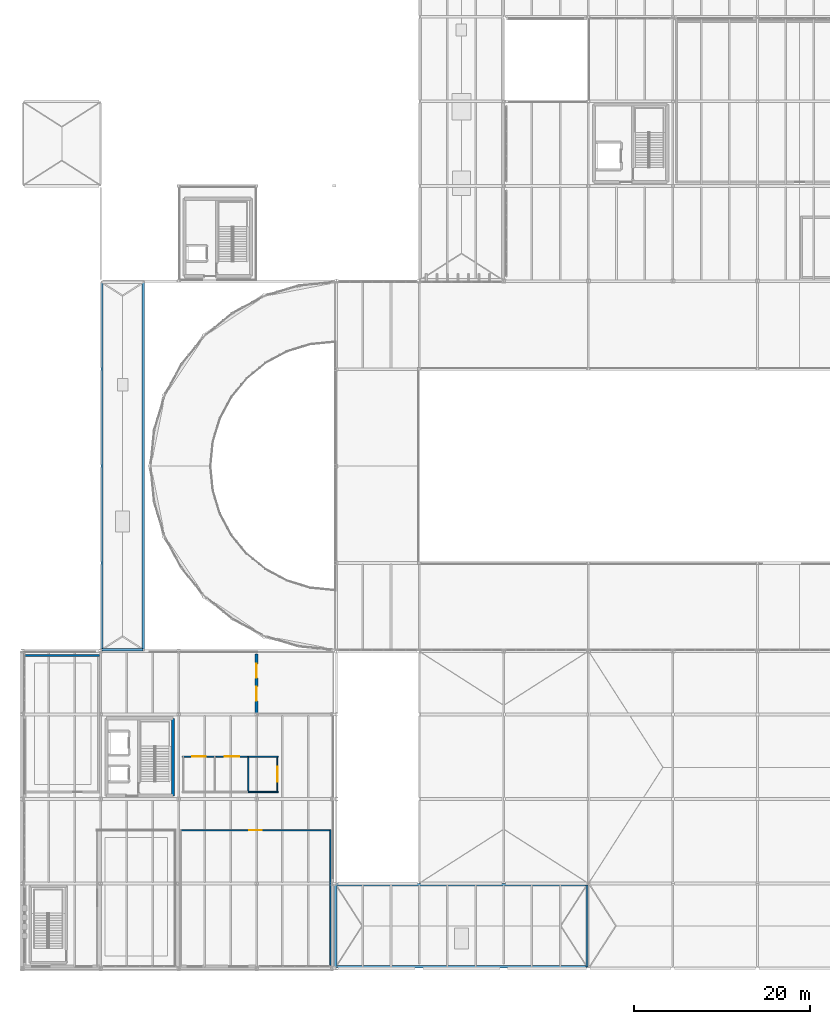
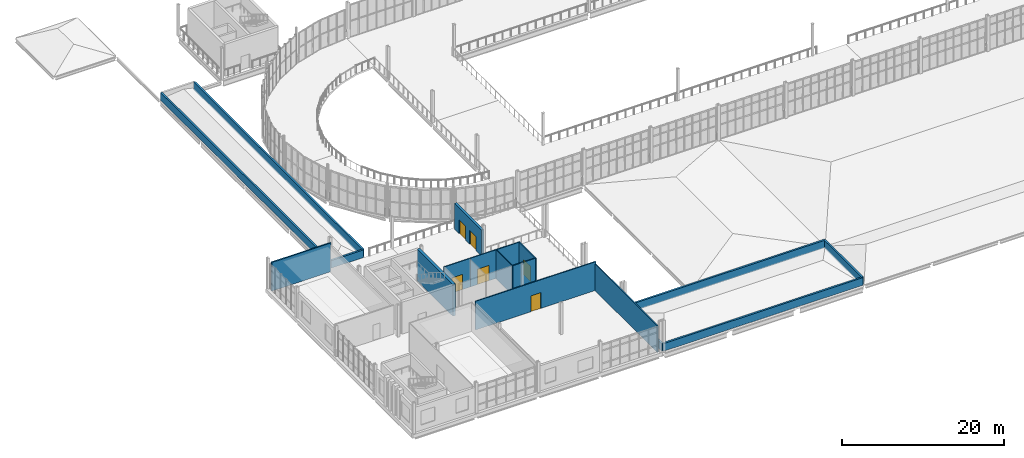
# One storey, part 92 of 112: 18 walls, 6 doors, 6 openings.
"""IFC4 building model written with IfcOpenShell, lengths in metres."""

from ifc_helpers import new_model, si_unit, direction, frame, frame_2d, origin, place, context, subcontext, project, spatial, rectangle, extrude, material, layer, layer_set, type_object, element, fill, save


model = new_model("IFC4")

# Units and contexts
model_context = context("Model", 3, precision=1e-05, world=origin(), true_north=direction((0.0, 1.0)))
body_context = subcontext(model_context, "Body", "Model", "MODEL_VIEW")
ifc_project = project(units=[si_unit("LENGTHUNIT", "METRE"), si_unit("AREAUNIT", "SQUARE_METRE"), si_unit("VOLUMEUNIT", "CUBIC_METRE"), si_unit("PLANEANGLEUNIT", "RADIAN"), si_unit("MASSUNIT", "GRAM", prefix="KILO")], contexts=[model_context])

# Site, building, storey
site_placement = place(None, origin())
site = spatial("IfcSite", under=ifc_project, at=site_placement, CompositionType="ELEMENT")
building_placement = place(site_placement, origin())
building = spatial("IfcBuilding", under=site, at=building_placement, Name="Yeouljin Market Hall", CompositionType="ELEMENT")
storey_placement = place(building_placement, frame((0.0, 0.0, 6.0)))
storey = spatial("IfcBuildingStorey", under=building, at=storey_placement, Name="L01", CompositionType="ELEMENT", Elevation=6.0)

# Wall, opening, door
ifc_material_1 = material(Name="Gypsum Board Acoustic Partition")
ifc_layer_1 = layer(ifc_material_1, 0.14990234375)
ifc_layer_set_1 = layer_set([ifc_layer_1], Name="Gypsum Board Acoustic Partition")
wall_type_1 = type_object("IfcWallType", Name="Part_Classroom_150", PredefinedType="PARTITIONING", material=ifc_layer_set_1)
wall_1_placement = place(storey_placement, frame((34.97998046875, 15.64990234375, 0.0), z_axis=(0.0, 0.0, 1.0), x_axis=(-1.0, 0.0, 0.0)))
wall_1 = element("IfcWall", 1, at=wall_1_placement, inside=storey, type_object=wall_type_1, Name="Interior partition PART-L01-0088", PredefinedType="PARTITIONING", context=body_context, shape_type="SweptSolid", body=[
    extrude(rectangle(XDim=17.159912109375, YDim=0.14990234375, at=frame_2d((8.580078125, 0.0))), origin(), (0.0, 0.0, 1.0), 4.320068359375),
])
opening_1_placement = place(wall_1_placement, frame((7.8798828125, 0.0, 0.0)))
opening_1 = element("IfcOpeningElement", 2, at=opening_1_placement, cuts=wall_1, Name="Opening D-L01-028", PredefinedType="OPENING", context=body_context, shape_type="SweptSolid", body=[
    extrude(rectangle(XDim=1.39990234375, YDim=2.3798828125, at=frame_2d((0.699951171875, 1.18994140625))), frame((0.0, 0.0849609375, 0.0), z_axis=(0.0, -1.0, 0.0), x_axis=(1.0, 0.0, 0.0)), (0.0, 0.0, 1.0), 0.169921875),
])
ifc_material_2 = material(Name="Painted Fire-Rated Steel", Category="steel")
door_type_1 = type_object("IfcDoorType", Name="DT-CS140", OperationType="NOTDEFINED", PredefinedType="DOOR", material=ifc_material_2)
door_1_placement = place(opening_1_placement, origin())
door_1 = element("IfcDoor", 3, at=door_1_placement, inside=storey, type_object=door_type_1, Name="Interior door D-L01-028 (Artisan Bakery Workshop)", OperationType="SINGLE_SWING_RIGHT", OverallHeight=2.3798828125, OverallWidth=1.39990234375, PredefinedType="DOOR", context=body_context, shape_type="SweptSolid", body=[
    extrude(rectangle(XDim=1.39990234375, YDim=2.3798828125, at=frame_2d((0.699951171875, 1.18994140625))), frame((0.0, 0.02490234375, 0.0), z_axis=(0.0, -1.0, 0.0), x_axis=(1.0, 0.0, 0.0)), (0.0, 0.0, 1.0), 0.050048828125),
])
fill(opening_1, door_1)

# Walls
wall_2_placement = place(storey_placement, frame((34.89990234375, 0.199951171875, 0.0), z_axis=(0.0, 0.0, 1.0), x_axis=(0.0, 1.0, 0.0)))
element("IfcWall", 4, at=wall_2_placement, inside=storey, type_object=wall_type_1, Name="Interior partition PART-L01-0090", PredefinedType="PARTITIONING", context=body_context, shape_type="SweptSolid", body=[
    extrude(rectangle(XDim=15.530029296875, YDim=0.14990234375, at=frame_2d((7.76513671875, 0.0))), origin(), (0.0, 0.0, 1.0), 4.014892578125),
])
ifc_material_3 = material(Name="Ceramic-Faced Acoustic Partition")
ifc_layer_2 = layer(ifc_material_3, 0.18994140625)
ifc_layer_set_2 = layer_set([ifc_layer_2], Name="Ceramic-Faced Acoustic Partition")
wall_type_2 = type_object("IfcWallType", Name="Part_KitchenTile_190", PredefinedType="PARTITIONING", material=ifc_layer_set_2)
wall_3_placement = place(storey_placement, frame((8.679931640625, 35.5, 0.0), z_axis=(0.0, 0.0, 1.0), x_axis=(-1.0, 0.0, 0.0)))
element("IfcWall", 5, at=wall_3_placement, inside=storey, type_object=wall_type_2, Name="Interior partition PART-L01-0093", PredefinedType="PARTITIONING", context=body_context, shape_type="SweptSolid", body=[
    extrude(rectangle(XDim=8.47998046875, YDim=0.18994140625, at=frame_2d((4.239990234375, 0.0))), origin(), (0.0, 0.0, 1.0), 4.320068359375),
])

# Wall, opening, door
ifc_material_4 = material(Name="Moisture-Resistant Gypsum Partition")
ifc_layer_3 = layer(ifc_material_4, 0.1298828125)
ifc_layer_set_3 = layer_set([ifc_layer_3], Name="Moisture-Resistant Gypsum Partition")
wall_type_3 = type_object("IfcWallType", Name="Part_Sanitary_130", PredefinedType="PARTITIONING", material=ifc_layer_set_3)
wall_4_placement = place(storey_placement, frame((21.8798828125, 24.0, 0.0), z_axis=(0.0, 0.0, 1.0), x_axis=(-1.0, 0.0, 0.0)))
wall_4 = element("IfcWall", 6, at=wall_4_placement, inside=storey, type_object=wall_type_3, Name="Interior partition PART-L01-0071", PredefinedType="PARTITIONING", context=body_context, shape_type="SweptSolid", body=[
    extrude(rectangle(XDim=3.759765625, YDim=0.1298828125, at=frame_2d((1.8798828125, 0.0))), origin(), (0.0, 0.0, 1.0), 4.320068359375),
])
opening_2_placement = place(wall_4_placement, frame((1.1201171875, 0.0, 0.0)))
opening_2 = element("IfcOpeningElement", 7, at=opening_2_placement, cuts=wall_4, Name="Opening D-L01-023", PredefinedType="OPENING", context=body_context, shape_type="SweptSolid", body=[
    extrude(rectangle(XDim=1.52001953125, YDim=2.280029296875, at=frame_2d((0.760009765625, 1.14013671875))), frame((0.0, 0.074951171875, 0.0), z_axis=(0.0, -1.0, 0.0), x_axis=(1.0, 0.0, 0.0)), (0.0, 0.0, 1.0), 0.14990234375),
])
ifc_material_5 = material(Name="Acoustic Timber Veneer", Category="wood")
door_type_2 = type_object("IfcDoorType", Name="DT-ID152H", OperationType="NOTDEFINED", PredefinedType="DOOR", material=ifc_material_5)
door_2_placement = place(opening_2_placement, origin())
door_2 = element("IfcDoor", 8, at=door_2_placement, inside=storey, type_object=door_type_2, Name="Interior door D-L01-023 (Male WC)", OperationType="SINGLE_SWING_LEFT", OverallHeight=2.280029296875, OverallWidth=1.52001953125, PredefinedType="DOOR", context=body_context, shape_type="SweptSolid", body=[
    extrude(rectangle(XDim=1.52001953125, YDim=2.280029296875, at=frame_2d((0.760009765625, 1.14013671875))), frame((0.0, 0.02490234375, 0.0), z_axis=(0.0, -1.0, 0.0), x_axis=(1.0, 0.0, 0.0)), (0.0, 0.0, 1.0), 0.050048828125),
])
fill(opening_2, door_2)

wall_5_placement = place(storey_placement, frame((25.679931640625, 24.0, 0.0), z_axis=(0.0, 0.0, 1.0), x_axis=(-1.0, 0.0, 0.0)))
wall_5 = element("IfcWall", 9, at=wall_5_placement, inside=storey, type_object=wall_type_3, Name="Interior partition PART-L01-0075", PredefinedType="PARTITIONING", context=body_context, shape_type="SweptSolid", body=[
    extrude(rectangle(XDim=3.8798828125, YDim=0.1298828125, at=frame_2d((1.93994140625, 0.0))), origin(), (0.0, 0.0, 1.0), 4.320068359375),
])
opening_3_placement = place(wall_5_placement, frame((1.1298828125, 0.0, 0.0)))
opening_3 = element("IfcOpeningElement", 10, at=opening_3_placement, cuts=wall_5, Name="Opening D-L01-024", PredefinedType="OPENING", context=body_context, shape_type="SweptSolid", body=[
    extrude(rectangle(XDim=1.6201171875, YDim=2.320068359375, at=frame_2d((0.81005859375, 1.16015625))), frame((0.0, 0.074951171875, 0.0), z_axis=(0.0, -1.0, 0.0), x_axis=(1.0, 0.0, 0.0)), (0.0, 0.0, 1.0), 0.14990234375),
])
ifc_material_6 = material(Name="Acoustic Timber Veneer", Category="wood")
door_type_3 = type_object("IfcDoorType", Name="DT-ID162H", OperationType="NOTDEFINED", PredefinedType="DOOR", material=ifc_material_6)
door_3_placement = place(opening_3_placement, origin())
door_3 = element("IfcDoor", 11, at=door_3_placement, inside=storey, type_object=door_type_3, Name="Interior door D-L01-024 (Female WC)", OperationType="SINGLE_SWING_RIGHT", OverallHeight=2.320068359375, OverallWidth=1.6201171875, PredefinedType="DOOR", context=body_context, shape_type="SweptSolid", body=[
    extrude(rectangle(XDim=1.6201171875, YDim=2.320068359375, at=frame_2d((0.81005859375, 1.16015625))), frame((0.0, 0.02490234375, 0.0), z_axis=(0.0, -1.0, 0.0), x_axis=(1.0, 0.0, 0.0)), (0.0, 0.0, 1.0), 0.050048828125),
])
fill(opening_3, door_3)

# Wall
wall_6_placement = place(storey_placement, frame((25.60009765625, 19.919921875, 0.0), z_axis=(0.0, 0.0, 1.0), x_axis=(0.0, 1.0, 0.0)))
element("IfcWall", 12, at=wall_6_placement, inside=storey, type_object=wall_type_3, Name="Interior partition PART-L01-0077", PredefinedType="PARTITIONING", context=body_context, shape_type="SweptSolid", body=[
    extrude(rectangle(XDim=4.16015625, YDim=0.1298828125, at=frame_2d((2.080078125, 0.0))), origin(), (0.0, 0.0, 1.0), 4.320068359375),
])

# Wall, opening, door
wall_7_placement = place(storey_placement, frame((28.89990234375, 19.919921875, 0.0), z_axis=(0.0, 0.0, 1.0), x_axis=(0.0, 1.0, 0.0)))
wall_7 = element("IfcWall", 13, at=wall_7_placement, inside=storey, type_object=wall_type_3, Name="Interior partition PART-L01-0078", PredefinedType="PARTITIONING", context=body_context, shape_type="SweptSolid", body=[
    extrude(rectangle(XDim=4.16015625, YDim=0.1298828125, at=frame_2d((2.080078125, 0.0))), origin(), (0.0, 0.0, 1.0), 4.320068359375),
])
opening_4_placement = place(wall_7_placement, frame((1.219970703125, 0.0, 0.0)))
opening_4 = element("IfcOpeningElement", 14, at=opening_4_placement, cuts=wall_7, Name="Opening D-L01-025", PredefinedType="OPENING", context=body_context, shape_type="SweptSolid", body=[
    extrude(rectangle(XDim=1.719970703125, YDim=2.320068359375, at=frame_2d((0.85986328125, 1.16015625))), frame((0.0, 0.074951171875, 0.0), z_axis=(0.0, -1.0, 0.0), x_axis=(1.0, 0.0, 0.0)), (0.0, 0.0, 1.0), 0.14990234375),
])
ifc_material_7 = material(Name="Acoustic Timber Veneer", Category="wood")
door_type_4 = type_object("IfcDoorType", Name="DT-ID172H", OperationType="NOTDEFINED", PredefinedType="DOOR", material=ifc_material_7)
door_4_placement = place(opening_4_placement, origin())
door_4 = element("IfcDoor", 15, at=door_4_placement, inside=storey, type_object=door_type_4, Name="Interior door D-L01-025 (Accessible WC)", OperationType="SINGLE_SWING_LEFT", OverallHeight=2.320068359375, OverallWidth=1.719970703125, PredefinedType="DOOR", context=body_context, shape_type="SweptSolid", body=[
    extrude(rectangle(XDim=1.719970703125, YDim=2.320068359375, at=frame_2d((0.85986328125, 1.16015625))), frame((0.0, 0.02490234375, 0.0), z_axis=(0.0, -1.0, 0.0), x_axis=(1.0, 0.0, 0.0)), (0.0, 0.0, 1.0), 0.050048828125),
])
fill(opening_4, door_4)

# Walls
for number, where, z_axis, x_axis, name in (
    (16, (28.97998046875, 24.0, 0.0), (0.0, 0.0, 1.0), (-1.0, 0.0, 0.0), "Interior partition PART-L01-0079"),
    (17, (25.60009765625, 20.0, 0.0), (0.0, 0.0, 1.0), (1.0, 0.0, 0.0), "Interior partition PART-L01-0080"),
):
    element("IfcWall", number, at=place(storey_placement, frame(where, z_axis=z_axis, x_axis=x_axis)), inside=storey, type_object=wall_type_3, Name=name, PredefinedType="PARTITIONING", context=body_context, shape_type="SweptSolid", body=[
        extrude(rectangle(XDim=3.3798828125, YDim=0.1298828125, at=frame_2d((1.68994140625, 0.0))), origin(), (0.0, 0.0, 1.0), 4.320068359375),
    ])
ifc_material_8 = material(Name="Concrete C35/45", Category="concrete")
ifc_layer_4 = layer(ifc_material_8, 0.3798828125)
ifc_layer_set_4 = layer_set([ifc_layer_4], Name="Concrete C35/45")
wall_type_4 = type_object("IfcWallType", Name="Wall_CoreShear_380", PredefinedType="SHEAR", material=ifc_layer_set_4)
wall_8_placement = place(storey_placement, frame((17.050048828125, 19.550048828125, 0.0), z_axis=(0.0, 0.0, 1.0), x_axis=(0.0, 1.0, 0.0)))
element("IfcWall", 18, at=wall_8_placement, inside=storey, type_object=wall_type_4, Name="Core C1 east shear wall (L01)", PredefinedType="SHEAR", context=body_context, shape_type="SweptSolid", body=[
    extrude(rectangle(XDim=8.800048828125, YDim=0.3798828125, at=frame_2d((4.39990234375, 0.0))), origin(), (0.0, 0.0, 1.0), 4.800048828125),
])

# Wall, openings, doors
ifc_material_9 = material(Name="Clinker Brick Masonry F2-S2", Category="masonry")
ifc_layer_5 = layer(ifc_material_9, 0.330078125)
ifc_layer_set_5 = layer_set([ifc_layer_5], Name="Clinker Brick Masonry F2-S2")
wall_type_5 = type_object("IfcWallType", Name="Wall_Ext_ClinkerCavity_330", PredefinedType="SOLIDWALL", material=ifc_layer_set_5)
wall_9_placement = place(storey_placement, frame((26.550048828125, 35.64990234375, 0.0), z_axis=(0.0, 0.0, 1.0), x_axis=(0.0, -1.0, 0.0)))
wall_9 = element("IfcWall", 19, at=wall_9_placement, inside=storey, type_object=wall_type_5, Name="Exterior wall WE-L01-TRW-ACC", PredefinedType="SOLIDWALL", context=body_context, shape_type="SweptSolid", body=[
    extrude(rectangle(XDim=6.66796875, YDim=0.330078125, at=frame_2d((3.333984375, 0.0))), origin(), (0.0, 0.0, 1.0), 3.949951171875),
])
opening_5_placement = place(wall_9_placement, frame((1.10009765625, 0.0, 0.0)))
opening_5 = element("IfcOpeningElement", 20, at=opening_5_placement, cuts=wall_9, Name="Opening TD-L01-01", PredefinedType="OPENING", context=body_context, shape_type="SweptSolid", body=[
    extrude(rectangle(XDim=1.60009765625, YDim=2.14990234375, at=frame_2d((0.800048828125, 1.074951171875))), frame((0.0, 0.175048828125, 0.0), z_axis=(0.0, -1.0, 0.0), x_axis=(1.0, 0.0, 0.0)), (0.0, 0.0, 1.0), 0.35009765625),
])
opening_6_placement = place(wall_9_placement, frame((3.699951171875, 0.0, 0.0)))
opening_6 = element("IfcOpeningElement", 21, at=opening_6_placement, cuts=wall_9, Name="Opening TD-L01-02", PredefinedType="OPENING", context=body_context, shape_type="SweptSolid", body=[
    extrude(rectangle(XDim=1.60009765625, YDim=2.14990234375, at=frame_2d((0.800048828125, 1.074951171875))), frame((0.0, 0.175048828125, 0.0), z_axis=(0.0, -1.0, 0.0), x_axis=(1.0, 0.0, 0.0)), (0.0, 0.0, 1.0), 0.35009765625),
])
ifc_material_10 = material(Name="Thermally Broken Aluminium", Category="aluminium")
door_type_5 = type_object("IfcDoorType", Name="DT-TD160", OperationType="NOTDEFINED", PredefinedType="DOOR", material=ifc_material_10)
door_5_placement = place(opening_5_placement, origin())
door_5 = element("IfcDoor", 22, at=door_5_placement, inside=storey, type_object=door_type_5, Name="Exterior door TD-L01-01", OperationType="DOUBLE_DOOR_SINGLE_SWING", OverallHeight=2.14990234375, OverallWidth=1.60009765625, PredefinedType="DOOR", context=body_context, shape_type="SweptSolid", body=[
    extrude(rectangle(XDim=1.60009765625, YDim=2.14990234375, at=frame_2d((0.800048828125, 1.074951171875))), frame((0.0, 0.02490234375, 0.0), z_axis=(0.0, -1.0, 0.0), x_axis=(1.0, 0.0, 0.0)), (0.0, 0.0, 1.0), 0.050048828125),
])
fill(opening_5, door_5)
door_6_placement = place(opening_6_placement, origin())
door_6 = element("IfcDoor", 23, at=door_6_placement, inside=storey, type_object=door_type_5, Name="Exterior door TD-L01-02", OperationType="DOUBLE_DOOR_SINGLE_SWING", OverallHeight=2.14990234375, OverallWidth=1.60009765625, PredefinedType="DOOR", context=body_context, shape_type="SweptSolid", body=[
    extrude(rectangle(XDim=1.60009765625, YDim=2.14990234375, at=frame_2d((0.800048828125, 1.074951171875))), frame((0.0, 0.02490234375, 0.0), z_axis=(0.0, -1.0, 0.0), x_axis=(1.0, 0.0, 0.0)), (0.0, 0.0, 1.0), 0.050048828125),
])
fill(opening_6, door_6)

# Walls
ifc_material_11 = material(Name="Pocheon Granite Stone", Category="masonry")
ifc_layer_6 = layer(ifc_material_11, 0.260009765625)
ifc_layer_set_6 = layer_set([ifc_layer_6], Name="Pocheon Granite Stone")
wall_type_6 = type_object("IfcWallType", Name="Wall_Parapet_Granite_260", PredefinedType="PARAPET", material=ifc_layer_set_6)
wall_10_placement = place(storey_placement, frame((35.5400390625, 0.139892578125, 0.010009765625), z_axis=(0.0, 0.0, 1.0), x_axis=(1.0, 0.0, 0.0)))
element("IfcWall", 24, at=wall_10_placement, inside=storey, type_object=wall_type_6, Name="Roof parapet RSLB-V5-W-1", PredefinedType="PARAPET", context=body_context, shape_type="SweptSolid", body=[
    extrude(rectangle(XDim=28.52001953125, YDim=0.260009765625, at=frame_2d((14.260009765625, 0.0))), origin(), (0.0, 0.0, 1.0), 1.14990234375),
])
wall_11_placement = place(storey_placement, frame((64.06005859375, 0.139892578125, 0.010009765625), z_axis=(0.0, 0.0, 1.0), x_axis=(0.0, 1.0, 0.0)))
element("IfcWall", 25, at=wall_11_placement, inside=storey, type_object=wall_type_6, Name="Roof parapet RSLB-V5-W-2", PredefinedType="PARAPET", context=body_context, shape_type="SweptSolid", body=[
    extrude(rectangle(XDim=9.320068359375, YDim=0.260009765625, at=frame_2d((4.66015625, 0.0))), origin(), (0.0, 0.0, 1.0), 1.14990234375),
])
wall_12_placement = place(storey_placement, frame((64.06005859375, 9.4599609375, 0.010009765625), z_axis=(0.0, 0.0, 1.0), x_axis=(-1.0, 0.0, 0.0)))
element("IfcWall", 26, at=wall_12_placement, inside=storey, type_object=wall_type_6, Name="Roof parapet RSLB-V5-W-3", PredefinedType="PARAPET", context=body_context, shape_type="SweptSolid", body=[
    extrude(rectangle(XDim=28.52001953125, YDim=0.260009765625, at=frame_2d((14.260009765625, 0.0))), origin(), (0.0, 0.0, 1.0), 1.14990234375),
])
wall_13_placement = place(storey_placement, frame((35.5400390625, 9.4599609375, 0.010009765625), z_axis=(0.0, 0.0, 1.0), x_axis=(0.0, -1.0, 0.0)))
element("IfcWall", 27, at=wall_13_placement, inside=storey, type_object=wall_type_6, Name="Roof parapet RSLB-V5-W-4", PredefinedType="PARAPET", context=body_context, shape_type="SweptSolid", body=[
    extrude(rectangle(XDim=9.320068359375, YDim=0.260009765625, at=frame_2d((4.66015625, 0.0))), origin(), (0.0, 0.0, 1.0), 1.14990234375),
])
wall_14_placement = place(storey_placement, frame((8.989990234375, 36.139892578125, 0.010009765625), z_axis=(0.0, 0.0, 1.0), x_axis=(1.0, 0.0, 0.0)))
element("IfcWall", 28, at=wall_14_placement, inside=storey, type_object=wall_type_6, Name="Roof parapet RSLB-V2-L01M-1", PredefinedType="PARAPET", context=body_context, shape_type="SweptSolid", body=[
    extrude(rectangle(XDim=4.669921875, YDim=0.260009765625, at=frame_2d((2.3349609375, 0.0))), origin(), (0.0, 0.0, 1.0), 1.14990234375),
])
for number, where, z_axis, x_axis, name in (
    (29, (13.659912109375, 36.139892578125, 0.010009765625), (0.0, 0.0, 1.0), (0.0, 1.0, 0.0), "Roof parapet RSLB-V2-L01M-2"),
    (30, (8.989990234375, 77.860107421875, 0.010009765625), (0.0, 0.0, 1.0), (0.0, -1.0, 0.0), "Roof parapet RSLB-V2-L01M-4"),
):
    element("IfcWall", number, at=place(storey_placement, frame(where, z_axis=z_axis, x_axis=x_axis)), inside=storey, type_object=wall_type_6, Name=name, PredefinedType="PARAPET", context=body_context, shape_type="SweptSolid", body=[
        extrude(rectangle(XDim=41.72021484375, YDim=0.260009765625, at=frame_2d((20.860107421875, 0.0))), origin(), (0.0, 0.0, 1.0), 1.14990234375),
    ])

save(model, "model.ifc")
